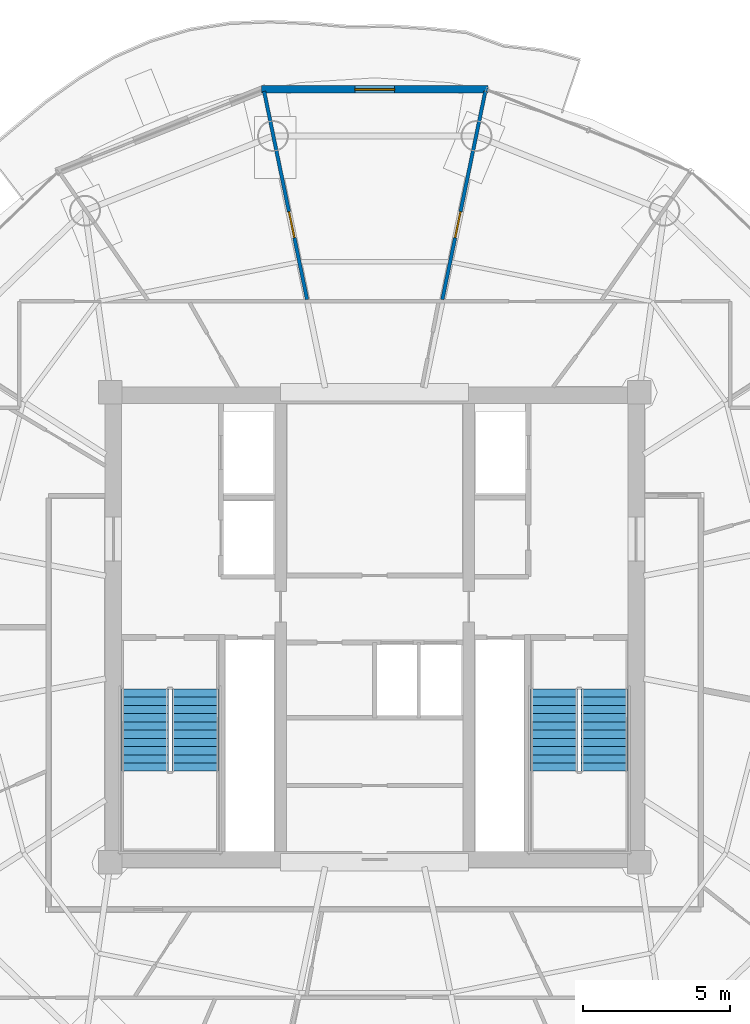
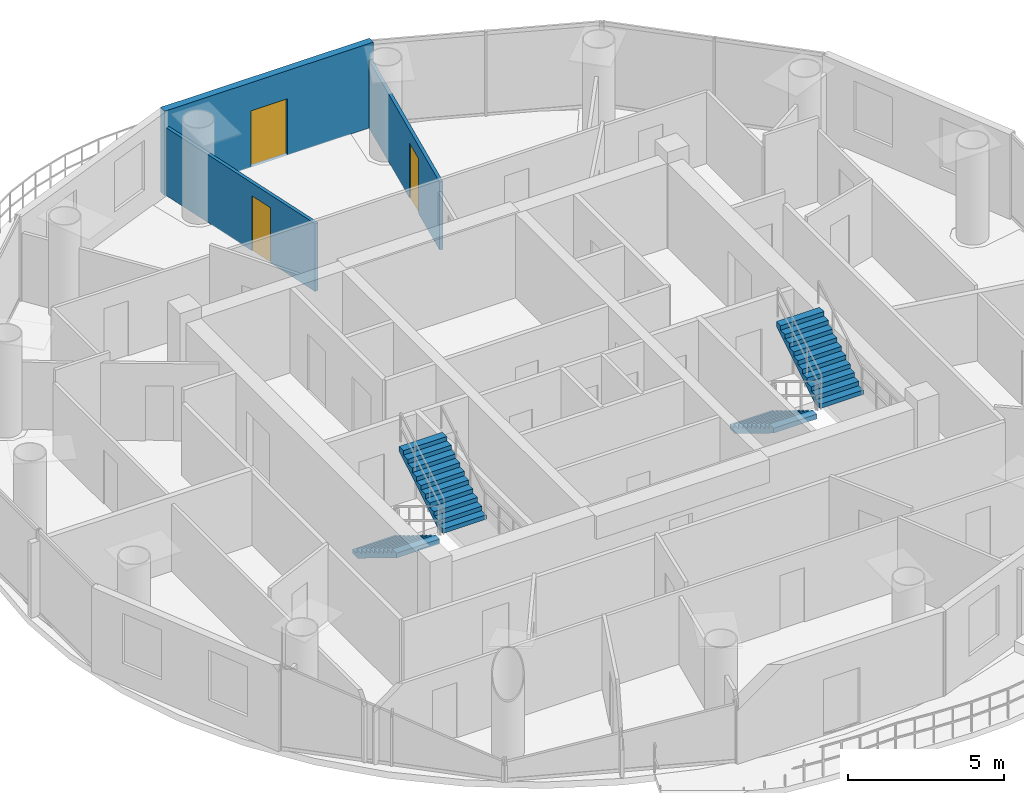
# One storey, part 20 of 23: 4 stair flights, 3 doors, 3 walls, 3 openings, 2 elements without a shape of their own.
"""IFC4 building model written with IfcOpenShell, lengths in metres."""

from ifc_helpers import new_model, si_unit, direction, frame, frame_2d, origin, place, context, subcontext, project, spatial, polyline, rectangle, outline, extrude, source, transform, mapped, material, layer, layer_set, type_object, element, fill, aggregate, save


model = new_model("IFC4")

# Units and contexts
model_context = context("Model", 3, precision=1e-05, world=origin(), true_north=direction((-0.2419218956, 0.970295726276)))
body_context = subcontext(model_context, "Body", "Model", "MODEL_VIEW")
ifc_project = project(units=[si_unit("LENGTHUNIT", "METRE"), si_unit("AREAUNIT", "SQUARE_METRE"), si_unit("VOLUMEUNIT", "CUBIC_METRE"), si_unit("PLANEANGLEUNIT", "RADIAN"), si_unit("MASSUNIT", "GRAM", prefix="KILO")], contexts=[model_context])

# Site, building, storey
site_placement = place(None, origin())
site = spatial("IfcSite", under=ifc_project, at=site_placement, CompositionType="ELEMENT")
building_placement = place(site_placement, origin())
building = spatial("IfcBuilding", under=site, at=building_placement, Name="Cobrevalo Terracotta Tower", CompositionType="ELEMENT")
storey_placement = place(building_placement, frame((0.0, 0.0, 296.949951171875)))
storey = spatial("IfcBuildingStorey", under=building, at=storey_placement, Name="L78", CompositionType="ELEMENT", Elevation=296.949951171875)

# Wall, opening, door
ifc_material_1 = material(Name="Autoclaved aerated concrete block", Category="concrete")
ifc_layer_1 = layer(ifc_material_1, 0.260009765625)
ifc_layer_set_1 = layer_set([ifc_layer_1], Name="Autoclaved aerated concrete block")
wall_type_1 = type_object("IfcWallType", Name="Recessed balcony loggia insulated exterior wall 260 mm", PredefinedType="SOLIDWALL", material=ifc_layer_set_1)
wall_1_placement = place(storey_placement, frame((41.85888671875, 45.111328125, 0.0), z_axis=(0.0, 0.0, 1.0), x_axis=(-1.0, 0.0, 0.0)))
wall_1 = element("IfcWall", 1, at=wall_1_placement, inside=storey, type_object=wall_type_1, Name="L78 balcony loggia wall S04", PredefinedType="SOLIDWALL", context=body_context, shape_type="SweptSolid", body=[
    extrude(rectangle(XDim=7.7177734375, YDim=0.260009765625, at=frame_2d((3.85888671875, 0.0))), origin(), (0.0, 0.0, 1.0), 3.300048828125),
])
opening_1_placement = place(wall_1_placement, frame((3.183837890625, 0.0, 0.0)))
opening_1 = element("IfcOpeningElement", 2, at=opening_1_placement, cuts=wall_1, Name="Opening ED-05", PredefinedType="OPENING", context=body_context, shape_type="SweptSolid", body=[
    extrude(rectangle(XDim=1.35009765625, YDim=2.199951171875, at=frame_2d((0.675048828125, 1.10009765625))), frame((0.0, 0.14013671875, 0.0), z_axis=(0.0, -1.0, 0.0), x_axis=(1.0, 0.0, 0.0)), (0.0, 0.0, 1.0), 0.280029296875),
])
ifc_material_2 = material(Name="Anodized aluminium and laminated glass", Category="aluminium")
door_type_1 = type_object("IfcDoorType", Name="Suite balcony acoustic glazed terrace door 1350x2200", OperationType="NOTDEFINED", PredefinedType="DOOR", material=ifc_material_2)
shared_shape_1 = source(origin(), body_context, "Body", "SweptSolid", [
    extrude(rectangle(XDim=1.35009765625, YDim=2.199951171875, at=frame_2d((0.675048828125, 1.10009765625))), frame((0.0, 0.02490234375, 0.0), z_axis=(0.0, -1.0, 0.0), x_axis=(1.0, 0.0, 0.0)), (0.0, 0.0, 1.0), 0.050048828125),
])
door_1_placement = place(opening_1_placement, frame((1.35009765625, 0.0, 0.0), z_axis=(0.0, 0.0, 1.0), x_axis=(-1.0, 0.0, 0.0)))
door_1 = element("IfcDoor", 3, at=door_1_placement, inside=storey, type_object=door_type_1, Name="L78 glazed balcony terrace door 1", OperationType="SINGLE_SWING_LEFT", OverallHeight=2.199951171875, OverallWidth=1.35009765625, PredefinedType="DOOR", context=body_context, shape_type="MappedRepresentation", body=[
    mapped(shared_shape_1, transform((0.0, 0.0, 0.0), scale=1.0)),
])
fill(opening_1, door_1)

ifc_material_3 = material(Name="Gypsum board on steel stud", Category="steel")
ifc_layer_2 = layer(ifc_material_3, 0.1201171875)
ifc_layer_set_2 = layer_set([ifc_layer_2], Name="Gypsum board on steel stud")
wall_type_2 = type_object("IfcWallType", Name="Residential internal acoustic stud partition 120 mm", PredefinedType="PARTITIONING", material=ifc_layer_set_2)
wall_2_placement = place(storey_placement, frame((40.302001953125, 37.955810546875, 0.0), z_axis=(0.0, 0.0, 1.0), x_axis=(0.20211361456, 0.979362081566, 0.0)))
wall_2 = element("IfcWall", 4, at=wall_2_placement, inside=storey, type_object=wall_type_2, Name="L78 interior partition IW-L78-U1-ORAD3M1", PredefinedType="PARTITIONING", context=body_context, shape_type="SweptSolid", body=[
    extrude(rectangle(XDim=7.23681640625, YDim=0.1201171875, at=frame_2d((3.618408203125, 0.0))), origin(), (0.0, 0.0, 1.0), 2.650146484375),
])
opening_2_placement = place(wall_2_placement, frame((2.154296875, 0.0, 0.0)))
opening_2 = element("IfcOpeningElement", 5, at=opening_2_placement, cuts=wall_2, Name="Opening ID-12", PredefinedType="OPENING", context=body_context, shape_type="SweptSolid", body=[
    extrude(rectangle(XDim=0.89990234375, YDim=2.14990234375, at=frame_2d((0.449951171875, 1.074951171875))), frame((0.0, 0.070068359375, 0.0), z_axis=(0.0, -1.0, 0.0), x_axis=(1.0, 0.0, 0.0)), (0.0, 0.0, 1.0), 0.14013671875),
])
ifc_material_4 = material(Name="Engineered timber", Category="wood")
door_type_2 = type_object("IfcDoorType", Name="Internal residence & suite timber door 900x2150", OperationType="NOTDEFINED", PredefinedType="DOOR", material=ifc_material_4)
shared_shape_2 = source(origin(), body_context, "Body", "SweptSolid", [
    extrude(rectangle(XDim=0.89990234375, YDim=2.14990234375, at=frame_2d((0.449951171875, 1.074951171875))), frame((0.0, 0.02490234375, 0.0), z_axis=(0.0, -1.0, 0.0), x_axis=(1.0, 0.0, 0.0)), (0.0, 0.0, 1.0), 0.050048828125),
])
door_2_placement = place(opening_2_placement, origin())
door_2 = element("IfcDoor", 6, at=door_2_placement, inside=storey, type_object=door_type_2, Name="Flat L78A Principal Guest Bedroom internal door", OperationType="SINGLE_SWING_LEFT", OverallHeight=2.14990234375, OverallWidth=0.89990234375, PredefinedType="DOOR", context=body_context, shape_type="MappedRepresentation", body=[
    mapped(shared_shape_2, transform((0.0, 0.0, 0.0), scale=1.0)),
])
fill(opening_2, door_2)

wall_3_placement = place(storey_placement, frame((35.697998046875, 37.955810546875, 0.0), z_axis=(0.0, 0.0, 1.0), x_axis=(-0.20211361456, 0.979362081566, 0.0)))
wall_3 = element("IfcWall", 7, at=wall_3_placement, inside=storey, type_object=wall_type_2, Name="L78 interior partition IW-L78-U1-ORAD3", PredefinedType="PARTITIONING", context=body_context, shape_type="SweptSolid", body=[
    extrude(rectangle(XDim=7.23681640625, YDim=0.1201171875, at=frame_2d((3.618408203125, 0.0))), origin(), (0.0, 0.0, 1.0), 2.650146484375),
])
opening_3_placement = place(wall_3_placement, frame((2.1533203125, 0.0, 0.0)))
opening_3 = element("IfcOpeningElement", 8, at=opening_3_placement, cuts=wall_3, Name="Opening ID-12", PredefinedType="OPENING", context=body_context, shape_type="SweptSolid", body=[
    extrude(rectangle(XDim=0.89990234375, YDim=2.14990234375, at=frame_2d((0.449951171875, 1.074951171875))), frame((0.0, 0.070068359375, 0.0), z_axis=(0.0, -1.0, 0.0), x_axis=(1.0, 0.0, 0.0)), (0.0, 0.0, 1.0), 0.14013671875),
])
door_3_placement = place(opening_3_placement, origin())
door_3 = element("IfcDoor", 9, at=door_3_placement, inside=storey, type_object=door_type_2, Name="Flat L78A Principal Guest Bedroom internal door", OperationType="SINGLE_SWING_RIGHT", OverallHeight=2.14990234375, OverallWidth=0.89990234375, PredefinedType="DOOR", context=body_context, shape_type="MappedRepresentation", body=[
    mapped(shared_shape_2, transform((0.0, 0.0, 0.0), scale=1.0)),
])
fill(opening_3, door_3)

# Stair, stair flights
ifc_material_5 = material(Name="Concrete C50", Category="concrete")
stair_type = type_object("IfcStairType", Name="Core protected escape dogleg stair 1600", PredefinedType="HALF_TURN_STAIR", material=ifc_material_5)
stair_1_placement = place(storey_placement, origin())
stair_1 = element("IfcStair", 10, at=stair_1_placement, inside=storey, type_object=stair_type, Name="L78 Protected exit stair ST-1", PredefinedType="HALF_TURN_STAIR")
stair_flight_type = type_object("IfcStairFlightType", Name="Core protected escape dogleg stair 1600 flight", PredefinedType="STRAIGHT", material=ifc_material_5)
stair_flight_1_placement = place(storey_placement, frame((30.175048828125, 24.699951171875, 0.0), z_axis=(0.0, 0.0, 1.0), x_axis=(0.0, -1.0, 0.0)))
stair_flight_1 = element("IfcStairFlight", 11, at=stair_flight_1_placement, type_object=stair_flight_type, Name="ST-1 flight 1", NumberOfRisers=11, NumberOfTreads=10, PredefinedType="STRAIGHT", RiserHeight=0.170454545, TreadLength=0.28, context=body_context, shape_type="SweptSolid", body=[
    extrude(outline(polyline([(0.0, 0.0), (0.0, 0.17041015625), (0.280029296875, 0.17041015625), (0.280029296875, 0.3408203125), (0.56005859375, 0.3408203125), (0.56005859375, 0.511474609375), (0.840087890625, 0.511474609375), (0.840087890625, 0.681884765625), (1.1201171875, 0.681884765625), (1.1201171875, 0.852294921875), (1.39990234375, 0.852294921875), (1.39990234375, 1.022705078125), (1.679931640625, 1.022705078125), (1.679931640625, 1.193115234375), (1.9599609375, 1.193115234375), (1.9599609375, 1.363525390625), (2.239990234375, 1.363525390625), (2.239990234375, 1.5341796875), (2.52001953125, 1.5341796875), (2.52001953125, 1.70458984375), (2.800048828125, 1.70458984375), (2.800048828125, 1.875), (2.800048828125, 1.517333984375), (0.3076171875, 0.0), (0.0, 0.0)])), frame((0.0, 0.800048828125, 0.0), z_axis=(0.0, -1.0, 0.0), x_axis=(1.0, 0.0, 0.0)), (0.0, 0.0, 1.0), 1.60009765625),
])
stair_flight_2_placement = place(storey_placement, frame((31.89501953125, 21.89990234375, 1.875), z_axis=(0.0, 0.0, 1.0), x_axis=(0.0, 1.0, 0.0)))
stair_flight_2 = element("IfcStairFlight", 12, at=stair_flight_2_placement, type_object=stair_flight_type, Name="ST-1 flight 2", NumberOfRisers=11, NumberOfTreads=10, PredefinedType="STRAIGHT", RiserHeight=0.170454545, TreadLength=0.28, context=body_context, shape_type="SweptSolid", body=[
    extrude(outline(polyline([(0.0, 0.0), (0.0, 0.17041015625), (0.280029296875, 0.17041015625), (0.280029296875, 0.3408203125), (0.56005859375, 0.3408203125), (0.56005859375, 0.511474609375), (0.840087890625, 0.511474609375), (0.840087890625, 0.681884765625), (1.1201171875, 0.681884765625), (1.1201171875, 0.852294921875), (1.39990234375, 0.852294921875), (1.39990234375, 1.022705078125), (1.679931640625, 1.022705078125), (1.679931640625, 1.193115234375), (1.9599609375, 1.193115234375), (1.9599609375, 1.363525390625), (2.239990234375, 1.363525390625), (2.239990234375, 1.5341796875), (2.52001953125, 1.5341796875), (2.52001953125, 1.70458984375), (2.800048828125, 1.70458984375), (2.800048828125, 1.875), (2.800048828125, 1.517333984375), (0.3076171875, 0.0), (0.0, 0.0)])), frame((0.0, 0.800048828125, 0.0), z_axis=(0.0, -1.0, 0.0), x_axis=(1.0, 0.0, 0.0)), (0.0, 0.0, 1.0), 1.60009765625),
])
aggregate(stair_1, [stair_flight_1, stair_flight_2])

stair_2_placement = place(storey_placement, origin())
stair_2 = element("IfcStair", 13, at=stair_2_placement, inside=storey, type_object=stair_type, Name="L78 Protected exit stair ST-2", PredefinedType="HALF_TURN_STAIR")
stair_flight_3_placement = place(storey_placement, frame((44.10498046875, 24.699951171875, 0.0), z_axis=(0.0, 0.0, 1.0), x_axis=(0.0, -1.0, 0.0)))
stair_flight_3 = element("IfcStairFlight", 14, at=stair_flight_3_placement, type_object=stair_flight_type, Name="ST-2 flight 1", NumberOfRisers=11, NumberOfTreads=10, PredefinedType="STRAIGHT", RiserHeight=0.170454545, TreadLength=0.28, context=body_context, shape_type="SweptSolid", body=[
    extrude(outline(polyline([(0.0, 0.0), (0.0, 0.17041015625), (0.280029296875, 0.17041015625), (0.280029296875, 0.3408203125), (0.56005859375, 0.3408203125), (0.56005859375, 0.511474609375), (0.840087890625, 0.511474609375), (0.840087890625, 0.681884765625), (1.1201171875, 0.681884765625), (1.1201171875, 0.852294921875), (1.39990234375, 0.852294921875), (1.39990234375, 1.022705078125), (1.679931640625, 1.022705078125), (1.679931640625, 1.193115234375), (1.9599609375, 1.193115234375), (1.9599609375, 1.363525390625), (2.239990234375, 1.363525390625), (2.239990234375, 1.5341796875), (2.52001953125, 1.5341796875), (2.52001953125, 1.70458984375), (2.800048828125, 1.70458984375), (2.800048828125, 1.875), (2.800048828125, 1.517333984375), (0.3076171875, 0.0), (0.0, 0.0)])), frame((0.0, 0.800048828125, 0.0), z_axis=(0.0, -1.0, 0.0), x_axis=(1.0, 0.0, 0.0)), (0.0, 0.0, 1.0), 1.60009765625),
])
stair_flight_4_placement = place(storey_placement, frame((45.824951171875, 21.89990234375, 1.875), z_axis=(0.0, 0.0, 1.0), x_axis=(0.0, 1.0, 0.0)))
stair_flight_4 = element("IfcStairFlight", 15, at=stair_flight_4_placement, type_object=stair_flight_type, Name="ST-2 flight 2", NumberOfRisers=11, NumberOfTreads=10, PredefinedType="STRAIGHT", RiserHeight=0.170454545, TreadLength=0.28, context=body_context, shape_type="SweptSolid", body=[
    extrude(outline(polyline([(0.0, 0.0), (0.0, 0.17041015625), (0.280029296875, 0.17041015625), (0.280029296875, 0.3408203125), (0.56005859375, 0.3408203125), (0.56005859375, 0.511474609375), (0.840087890625, 0.511474609375), (0.840087890625, 0.681884765625), (1.1201171875, 0.681884765625), (1.1201171875, 0.852294921875), (1.39990234375, 0.852294921875), (1.39990234375, 1.022705078125), (1.679931640625, 1.022705078125), (1.679931640625, 1.193115234375), (1.9599609375, 1.193115234375), (1.9599609375, 1.363525390625), (2.239990234375, 1.363525390625), (2.239990234375, 1.5341796875), (2.52001953125, 1.5341796875), (2.52001953125, 1.70458984375), (2.800048828125, 1.70458984375), (2.800048828125, 1.875), (2.800048828125, 1.517333984375), (0.3076171875, 0.0), (0.0, 0.0)])), frame((0.0, 0.800048828125, 0.0), z_axis=(0.0, -1.0, 0.0), x_axis=(1.0, 0.0, 0.0)), (0.0, 0.0, 1.0), 1.60009765625),
])
aggregate(stair_2, [stair_flight_3, stair_flight_4])

save(model, "model.ifc")
